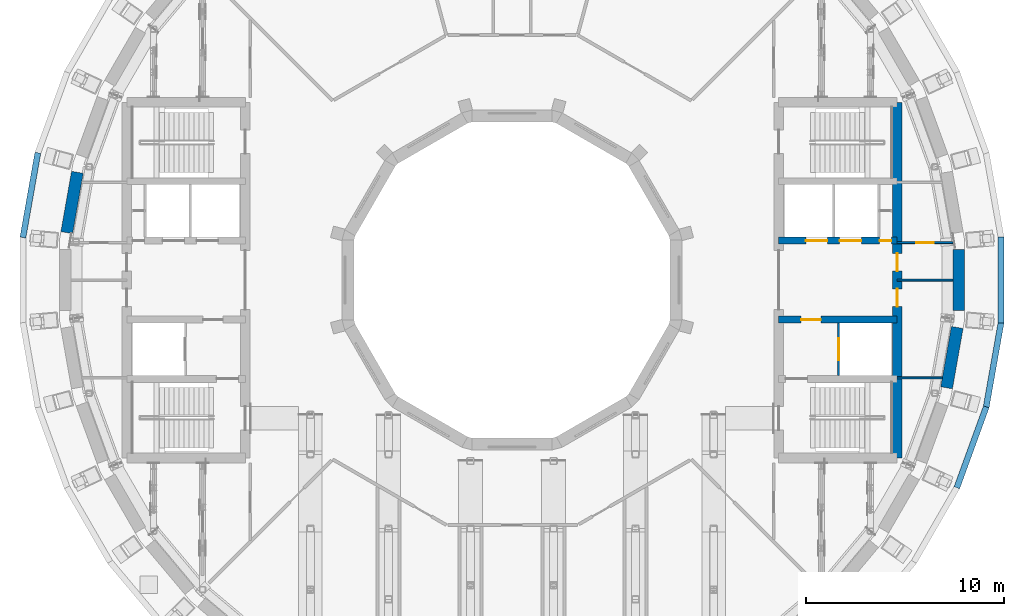
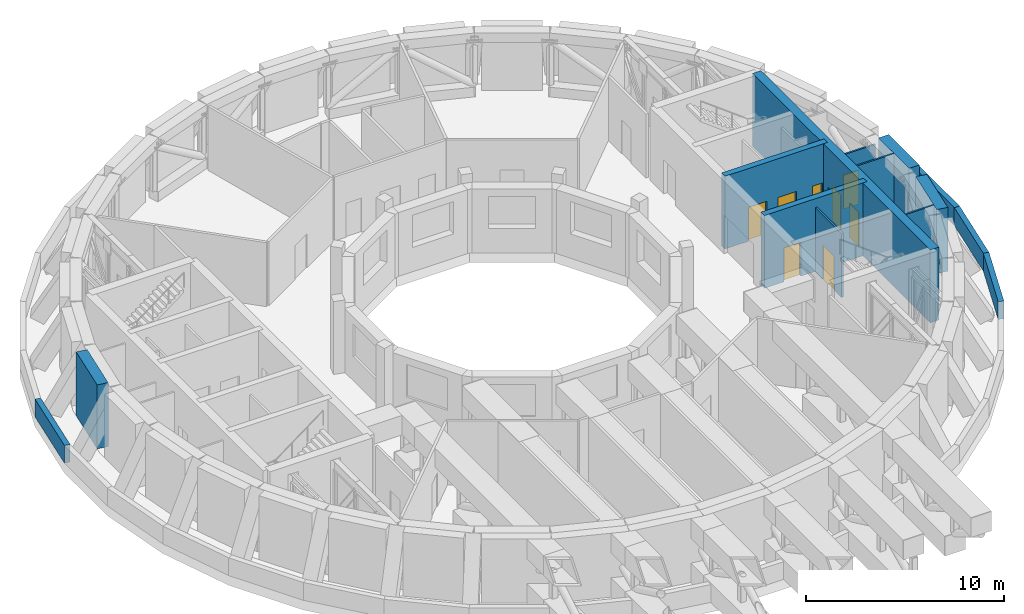
# One storey, part 13 of 20: 14 walls, 8 doors, 8 openings.
"""IFC4 building model written with IfcOpenShell, lengths in metres."""

from ifc_helpers import new_model, si_unit, direction, frame, frame_2d, origin, place, context, subcontext, project, spatial, rectangle, extrude, material, layer, layer_set, type_object, element, fill, save


model = new_model("IFC4")

# Units and contexts
model_context = context("Model", 3, precision=1e-05, world=origin(), true_north=direction((0.0, 1.0)))
body_context = subcontext(model_context, "Body", "Model", "MODEL_VIEW")
ifc_project = project(units=[si_unit("LENGTHUNIT", "METRE"), si_unit("AREAUNIT", "SQUARE_METRE"), si_unit("VOLUMEUNIT", "CUBIC_METRE"), si_unit("PLANEANGLEUNIT", "RADIAN"), si_unit("MASSUNIT", "GRAM", prefix="KILO")], contexts=[model_context])

# Site, building, storey
site_placement = place(None, origin())
site = spatial("IfcSite", under=ifc_project, at=site_placement, CompositionType="ELEMENT")
building_placement = place(site_placement, origin())
building = spatial("IfcBuilding", under=site, at=building_placement, Name="Saqina Gate Tower", CompositionType="ELEMENT")
storey_placement = place(building_placement, frame((0.0, 0.0, 220.199951171875)))
storey = spatial("IfcBuildingStorey", under=building, at=storey_placement, Name="L63", CompositionType="ELEMENT", Elevation=220.199951171875)

# Wall, opening, door
ifc_material_1 = material(Name="Gypsum board on steel studs", Category="steel")
ifc_layer_1 = layer(ifc_material_1, 0.10009765625)
ifc_layer_set_1 = layer_set([ifc_layer_1], Name="CORE PARTITION")
wall_type_1 = type_object("IfcWallType", Name="CORE PARTITION", PredefinedType="PARTITIONING", material=ifc_layer_set_1)
wall_1_placement = place(storey_placement, frame((19.5, 1.89990234375, 0.0), z_axis=(0.0, 0.0, 1.0), x_axis=(1.0, 0.0, 0.0)))
wall_1 = element("IfcWall", 1, at=wall_1_placement, inside=storey, type_object=wall_type_1, Name="L63-CP-E03", PredefinedType="PARTITIONING", context=body_context, shape_type="SweptSolid", body=[
    extrude(rectangle(XDim=2.8125, YDim=0.10009765625, at=frame_2d((1.40625, 0.0))), origin(), (0.0, 0.0, 1.0), 3.376953125),
])
opening_1_placement = place(wall_1_placement, frame((0.956298828125, 0.0, 0.0)))
opening_1 = element("IfcOpeningElement", 2, at=opening_1_placement, cuts=wall_1, Name="Opening L63-D92", PredefinedType="OPENING", context=body_context, shape_type="SweptSolid", body=[
    extrude(rectangle(XDim=0.89990234375, YDim=2.10009765625, at=frame_2d((0.449951171875, 1.050048828125))), frame((0.0, 0.06201171875, 0.0), z_axis=(0.0, -1.0, 0.0), x_axis=(1.0, 0.0, 0.0)), (0.0, 0.0, 1.0), 0.1240234375),
])
ifc_material_2 = material(Name="Steel-framed fire door leaf, EI 60", Category="steel")
door_type_1 = type_object("IfcDoorType", Name="SERVICE ROOM DOOR 900", OperationType="SINGLE_SWING_LEFT", PredefinedType="DOOR", material=ifc_material_2)
door_1_placement = place(opening_1_placement, origin())
door_1 = element("IfcDoor", 3, at=door_1_placement, inside=storey, type_object=door_type_1, Name="L63-CD-E03", OperationType="SINGLE_SWING_RIGHT", OverallHeight=2.10009765625, OverallWidth=0.89990234375, PredefinedType="DOOR", context=body_context, shape_type="SweptSolid", body=[
    extrude(rectangle(XDim=0.89990234375, YDim=2.10009765625, at=frame_2d((0.449951171875, 1.050048828125))), frame((0.0, 0.02490234375, 0.0), z_axis=(0.0, -1.0, 0.0), x_axis=(1.0, 0.0, 0.0)), (0.0, 0.0, 1.0), 0.050048828125),
])
fill(opening_1, door_1)

# Walls
wall_2_placement = place(storey_placement, frame((19.5, -4.949951171875, 0.0), z_axis=(0.0, 0.0, 1.0), x_axis=(1.0, 0.0, 0.0)))
element("IfcWall", 4, at=wall_2_placement, inside=storey, type_object=wall_type_1, Name="L63-CP-E04", PredefinedType="PARTITIONING", context=body_context, shape_type="SweptSolid", body=[
    extrude(rectangle(XDim=2.283935546875, YDim=0.10009765625, at=frame_2d((1.14208984375, 0.0))), origin(), (0.0, 0.0, 1.0), 3.949951171875),
])
wall_3_placement = place(storey_placement, frame((19.5, 0.0, 0.0), z_axis=(0.0, 0.0, 1.0), x_axis=(1.0, 0.0, 0.0)))
element("IfcWall", 5, at=wall_3_placement, inside=storey, type_object=wall_type_1, Name="L63-CP-E05", PredefinedType="PARTITIONING", context=body_context, shape_type="SweptSolid", body=[
    extrude(rectangle(XDim=2.8125, YDim=0.10009765625, at=frame_2d((1.40625, 0.0))), origin(), (0.0, 0.0, 1.0), 3.949951171875),
])
ifc_material_3 = material(Name="Glazed ceramic tile", Category="ceramic")
ifc_layer_2 = layer(ifc_material_3, 0.60009765625)
ifc_layer_set_2 = layer_set([ifc_layer_2], Name="FW-TILE")
wall_type_2 = type_object("IfcWallType", Name="FW-TILE", PredefinedType="SOLIDWALL", material=ifc_layer_set_2)
wall_4_placement = place(storey_placement, frame((22.612548828125, -1.550537109375, 0.0), z_axis=(0.0, 0.0, 1.0), x_axis=(0.0, 1.0, 0.0)))
element("IfcWall", 6, at=wall_4_placement, inside=storey, type_object=wall_type_2, Name="Facade wall L63 facet 36", PredefinedType="SOLIDWALL", context=body_context, shape_type="SweptSolid", body=[
    extrude(rectangle(XDim=3.10107421875, YDim=0.60009765625, at=frame_2d((1.550537109375, 0.0))), origin(), (0.0, 0.0, 1.0), 3.949951171875),
])
ifc_material_4 = material(Name="Glazed ceramic tile (dark blue)", Category="ceramic")
ifc_layer_3 = layer(ifc_material_4, 0.60009765625)
ifc_layer_set_3 = layer_set([ifc_layer_3], Name="FW-TILE-CB")
wall_type_3 = type_object("IfcWallType", Name="FW-TILE-CB", PredefinedType="SOLIDWALL", material=ifc_layer_set_3)
wall_5_placement = place(storey_placement, frame((21.999755859375, -5.45361328125, 0.0), z_axis=(0.0, 0.0, 1.0), x_axis=(0.173596698961, 0.98481682871, 0.0)))
element("IfcWall", 7, at=wall_5_placement, inside=storey, type_object=wall_type_3, Name="Facade wall L63 facet 35", PredefinedType="SOLIDWALL", context=body_context, shape_type="SweptSolid", body=[
    extrude(rectangle(XDim=3.10107421875, YDim=0.60009765625, at=frame_2d((1.550537109375, 0.0))), origin(), (0.0, 0.0, 1.0), 3.949951171875),
])
ifc_material_5 = material(Name="Glazed ceramic tile (white)", Category="ceramic")
ifc_layer_4 = layer(ifc_material_5, 0.60009765625)
ifc_layer_set_4 = layer_set([ifc_layer_4], Name="FW-TILE-WH")
wall_type_4 = type_object("IfcWallType", Name="FW-TILE-WH", PredefinedType="SOLIDWALL", material=ifc_layer_set_4)
wall_6_placement = place(storey_placement, frame((-21.999755859375, 5.45361328125, 0.0), z_axis=(0.0, 0.0, 1.0), x_axis=(-0.173596698961, -0.98481682871, 0.0)))
element("IfcWall", 8, at=wall_6_placement, inside=storey, type_object=wall_type_4, Name="Facade wall L63 facet 17", PredefinedType="SOLIDWALL", context=body_context, shape_type="SweptSolid", body=[
    extrude(rectangle(XDim=3.10107421875, YDim=0.60009765625, at=frame_2d((1.550537109375, 0.0))), origin(), (0.0, 0.0, 1.0), 3.949951171875),
])
ifc_material_6 = material(Name="Brick masonry (buff)", Category="masonry")
ifc_layer_5 = layer(ifc_material_6, 0.300048828125)
ifc_layer_set_5 = layer_set([ifc_layer_5], Name="PA-ROOF")
wall_type_5 = type_object("IfcWallType", Name="PA-ROOF", PredefinedType="PARAPET", material=ifc_layer_set_5)
for number, where, z_axis, x_axis, name in (
    (9, (-24.00048828125, 6.4443359375, 0.0), (0.0, 0.0, 1.0), (-0.173622331815, -0.984812309984, 0.0), "Parapet L63 edge 17"),
    (10, (22.5166015625, -10.51416015625, 0.0), (0.0, 0.0, 1.0), (0.342026438957, 0.93969032934, 0.0), "Parapet L63 edge 34"),
    (11, (24.00048828125, -6.4443359375, 0.0), (0.0, 0.0, 1.0), (0.173622331815, 0.984812309984, 0.0), "Parapet L63 edge 35"),
):
    element("IfcWall", number, at=place(storey_placement, frame(where, z_axis=z_axis, x_axis=x_axis)), inside=storey, type_object=wall_type_5, Name=name, PredefinedType="PARAPET", context=body_context, shape_type="SweptSolid", body=[
        extrude(rectangle(XDim=4.357666015625, YDim=0.300048828125, at=frame_2d((2.1787109375, 0.0))), origin(), (0.0, 0.0, 1.0), 1.10009765625),
    ])
wall_7_placement = place(storey_placement, frame((24.7548828125, -2.178955078125, 0.0), z_axis=(0.0, 0.0, 1.0), x_axis=(0.0, 1.0, 0.0)))
element("IfcWall", 12, at=wall_7_placement, inside=storey, type_object=wall_type_5, Name="Parapet L63 edge 36", PredefinedType="PARAPET", context=body_context, shape_type="SweptSolid", body=[
    extrude(rectangle(XDim=4.35791015625, YDim=0.300048828125, at=frame_2d((2.178955078125, 0.0))), origin(), (0.0, 0.0, 1.0), 1.10009765625),
])

# Wall, opening, door
ifc_material_7 = material(Name="Autoclaved aerated concrete block", Category="concrete")
ifc_layer_6 = layer(ifc_material_7, 0.1201171875)
ifc_layer_set_6 = layer_set([ifc_layer_6], Name="SHAFT PARTITION")
wall_type_6 = type_object("IfcWallType", Name="SHAFT PARTITION", PredefinedType="PARTITIONING", material=ifc_layer_set_6)
wall_8_placement = place(storey_placement, frame((16.530029296875, -4.824951171875, 0.0), z_axis=(0.0, 0.0, 1.0), x_axis=(0.0, 1.0, 0.0)))
wall_8 = element("IfcWall", 13, at=wall_8_placement, inside=storey, type_object=wall_type_6, Name="L63-CP-E08", PredefinedType="PARTITIONING", context=body_context, shape_type="SweptSolid", body=[
    extrude(rectangle(XDim=2.64990234375, YDim=0.1201171875, at=frame_2d((1.324951171875, 0.0))), origin(), (0.0, 0.0, 1.0), 3.949951171875),
])
opening_2_placement = place(wall_8_placement, frame((0.77490234375, 0.0, 0.0)))
opening_2 = element("IfcOpeningElement", 14, at=opening_2_placement, cuts=wall_8, Name="Opening L63-LD3", PredefinedType="OPENING", context=body_context, shape_type="SweptSolid", body=[
    extrude(rectangle(XDim=1.10009765625, YDim=2.10009765625, at=frame_2d((0.550048828125, 1.050048828125))), frame((0.0, 0.072021484375, 0.0), z_axis=(0.0, -1.0, 0.0), x_axis=(1.0, 0.0, 0.0)), (0.0, 0.0, 1.0), 0.14404296875),
])
ifc_material_8 = material(Name="Stainless steel", Category="steel")
door_type_2 = type_object("IfcDoorType", Name="LANDING DOOR", OperationType="DOUBLE_DOOR_SLIDING", PredefinedType="DOOR", material=ifc_material_8)
door_2_placement = place(opening_2_placement, origin())
door_2 = element("IfcDoor", 15, at=door_2_placement, inside=storey, type_object=door_type_2, Name="LANDING DOOR FF1", OperationType="DOUBLE_DOOR_SLIDING", OverallHeight=2.10009765625, OverallWidth=1.10009765625, PredefinedType="DOOR", context=body_context, shape_type="SweptSolid", body=[
    extrude(rectangle(XDim=1.10009765625, YDim=2.10009765625, at=frame_2d((0.550048828125, 1.050048828125))), frame((0.0, 0.02490234375, 0.0), z_axis=(0.0, -1.0, 0.0), x_axis=(1.0, 0.0, 0.0)), (0.0, 0.0, 1.0), 0.050048828125),
])
fill(opening_2, door_2)

# Wall, openings, doors
ifc_material_9 = material(Name="Concrete C60/75", Category="concrete")
ifc_layer_7 = layer(ifc_material_9, 0.35009765625)
ifc_layer_set_7 = layer_set([ifc_layer_7], Name="Concrete C60/75")
wall_type_7 = type_object("IfcWallType", Name="STR-CORE WALL-D-I", PredefinedType="SHEAR", material=ifc_layer_set_7)
wall_9_placement = place(storey_placement, frame((13.5, 2.0, 0.0), z_axis=(0.0, 0.0, 1.0), x_axis=(1.0, 0.0, 0.0)))
wall_9 = element("IfcWall", 16, at=wall_9_placement, inside=storey, type_object=wall_type_7, Name="CORE WALL L63 E-L1", PredefinedType="SHEAR", context=body_context, shape_type="SweptSolid", body=[
    extrude(rectangle(XDim=6.0, YDim=0.35009765625, at=frame_2d((3.0, 0.0))), origin(), (0.0, 0.0, 1.0), 4.5),
])
opening_3_placement = place(wall_9_placement, frame((1.3701171875, 0.0, 0.0)))
opening_3 = element("IfcOpeningElement", 17, at=opening_3_placement, cuts=wall_9, Name="Opening L63-LD1", PredefinedType="OPENING", context=body_context, shape_type="SweptSolid", body=[
    extrude(rectangle(XDim=1.10009765625, YDim=2.10009765625, at=frame_2d((0.550048828125, 1.050048828125))), frame((0.0, 0.18701171875, 0.0), z_axis=(0.0, -1.0, 0.0), x_axis=(1.0, 0.0, 0.0)), (0.0, 0.0, 1.0), 0.3740234375),
])
opening_4_placement = place(wall_9_placement, frame((3.090087890625, 0.0, 0.0)))
opening_4 = element("IfcOpeningElement", 18, at=opening_4_placement, cuts=wall_9, Name="Opening L63-LD2", PredefinedType="OPENING", context=body_context, shape_type="SweptSolid", body=[
    extrude(rectangle(XDim=1.10009765625, YDim=2.10009765625, at=frame_2d((0.550048828125, 1.050048828125))), frame((0.0, 0.18701171875, 0.0), z_axis=(0.0, -1.0, 0.0), x_axis=(1.0, 0.0, 0.0)), (0.0, 0.0, 1.0), 0.3740234375),
])
opening_5_placement = place(wall_9_placement, frame((5.10498046875, 0.0, 0.0)))
opening_5 = element("IfcOpeningElement", 19, at=opening_5_placement, cuts=wall_9, Name="Opening L63-D90", PredefinedType="OPENING", context=body_context, shape_type="SweptSolid", body=[
    extrude(rectangle(XDim=0.60009765625, YDim=2.10009765625, at=frame_2d((0.300048828125, 1.050048828125))), frame((0.0, 0.18701171875, 0.0), z_axis=(0.0, -1.0, 0.0), x_axis=(1.0, 0.0, 0.0)), (0.0, 0.0, 1.0), 0.3740234375),
])
door_3_placement = place(opening_3_placement, origin())
door_3 = element("IfcDoor", 20, at=door_3_placement, inside=storey, type_object=door_type_2, Name="LANDING DOOR HR1", OperationType="DOUBLE_DOOR_SLIDING", OverallHeight=2.10009765625, OverallWidth=1.10009765625, PredefinedType="DOOR", context=body_context, shape_type="SweptSolid", body=[
    extrude(rectangle(XDim=1.10009765625, YDim=2.10009765625, at=frame_2d((0.550048828125, 1.050048828125))), frame((0.0, 0.02490234375, 0.0), z_axis=(0.0, -1.0, 0.0), x_axis=(1.0, 0.0, 0.0)), (0.0, 0.0, 1.0), 0.050048828125),
])
fill(opening_3, door_3)
door_4_placement = place(opening_4_placement, origin())
door_4 = element("IfcDoor", 21, at=door_4_placement, inside=storey, type_object=door_type_2, Name="LANDING DOOR HR2", OperationType="DOUBLE_DOOR_SLIDING", OverallHeight=2.10009765625, OverallWidth=1.10009765625, PredefinedType="DOOR", context=body_context, shape_type="SweptSolid", body=[
    extrude(rectangle(XDim=1.10009765625, YDim=2.10009765625, at=frame_2d((0.550048828125, 1.050048828125))), frame((0.0, 0.02490234375, 0.0), z_axis=(0.0, -1.0, 0.0), x_axis=(1.0, 0.0, 0.0)), (0.0, 0.0, 1.0), 0.050048828125),
])
fill(opening_4, door_4)
ifc_material_10 = material(Name="Steel-framed fire door leaf, EI 60", Category="steel")
door_type_3 = type_object("IfcDoorType", Name="SERVICE ROOM DOOR 600", OperationType="SINGLE_SWING_LEFT", PredefinedType="DOOR", material=ifc_material_10)
door_5_placement = place(opening_5_placement, origin())
door_5 = element("IfcDoor", 22, at=door_5_placement, inside=storey, type_object=door_type_3, Name="L63-CD-E01", OperationType="SINGLE_SWING_RIGHT", OverallHeight=2.10009765625, OverallWidth=0.60009765625, PredefinedType="DOOR", context=body_context, shape_type="SweptSolid", body=[
    extrude(rectangle(XDim=0.60009765625, YDim=2.10009765625, at=frame_2d((0.300048828125, 1.050048828125))), frame((0.0, 0.02490234375, 0.0), z_axis=(0.0, -1.0, 0.0), x_axis=(1.0, 0.0, 0.0)), (0.0, 0.0, 1.0), 0.050048828125),
])
fill(opening_5, door_5)

# Wall, opening, door
wall_10_placement = place(storey_placement, frame((13.5, -2.0, 0.0), z_axis=(0.0, 0.0, 1.0), x_axis=(1.0, 0.0, 0.0)))
wall_10 = element("IfcWall", 23, at=wall_10_placement, inside=storey, type_object=wall_type_7, Name="CORE WALL L63 E-L2", PredefinedType="SHEAR", context=body_context, shape_type="SweptSolid", body=[
    extrude(rectangle(XDim=6.0, YDim=0.35009765625, at=frame_2d((3.0, 0.0))), origin(), (0.0, 0.0, 1.0), 4.5),
])
opening_6_placement = place(wall_10_placement, frame((1.139892578125, 0.0, 0.0)))
opening_6 = element("IfcOpeningElement", 24, at=opening_6_placement, cuts=wall_10, Name="Opening L63-D91", PredefinedType="OPENING", context=body_context, shape_type="SweptSolid", body=[
    extrude(rectangle(XDim=1.0, YDim=2.10009765625, at=frame_2d((0.5, 1.050048828125))), frame((0.0, 0.18701171875, 0.0), z_axis=(0.0, -1.0, 0.0), x_axis=(1.0, 0.0, 0.0)), (0.0, 0.0, 1.0), 0.3740234375),
])
ifc_material_11 = material(Name="Steel", Category="steel")
door_type_4 = type_object("IfcDoorType", Name="FIRE LOBBY DOOR EI 60", OperationType="SINGLE_SWING_LEFT", PredefinedType="DOOR", material=ifc_material_11)
door_6_placement = place(opening_6_placement, origin())
door_6 = element("IfcDoor", 25, at=door_6_placement, inside=storey, type_object=door_type_4, Name="L63-CD-E02", OperationType="SINGLE_SWING_LEFT", OverallHeight=2.10009765625, OverallWidth=1.0, PredefinedType="DOOR", context=body_context, shape_type="SweptSolid", body=[
    extrude(rectangle(XDim=1.0, YDim=2.10009765625, at=frame_2d((0.5, 1.050048828125))), frame((0.0, 0.02490234375, 0.0), z_axis=(0.0, -1.0, 0.0), x_axis=(1.0, 0.0, 0.0)), (0.0, 0.0, 1.0), 0.050048828125),
])
fill(opening_6, door_6)

# Wall, openings, doors
ifc_material_12 = material(Name="Concrete C60/75", Category="concrete")
ifc_layer_8 = layer(ifc_material_12, 0.5)
ifc_layer_set_8 = layer_set([ifc_layer_8], Name="Concrete C60/75")
wall_type_8 = type_object("IfcWallType", Name="STR-CORE WALL-D-O", PredefinedType="SHEAR", material=ifc_layer_set_8)
wall_11_placement = place(storey_placement, frame((19.5, -9.0, 0.0), z_axis=(0.0, 0.0, 1.0), x_axis=(0.0, 1.0, 0.0)))
wall_11 = element("IfcWall", 26, at=wall_11_placement, inside=storey, type_object=wall_type_8, Name="CORE WALL L63 E-W2", PredefinedType="SHEAR", context=body_context, shape_type="SweptSolid", body=[
    extrude(rectangle(XDim=18.0, YDim=0.5, at=frame_2d((9.0, 0.0))), origin(), (0.0, 0.0, 1.0), 4.5),
])
opening_7_placement = place(wall_11_placement, frame((9.449951171875, 0.0, 0.0)))
opening_7 = element("IfcOpeningElement", 27, at=opening_7_placement, cuts=wall_11, Name="Opening L63-D93", PredefinedType="OPENING", context=body_context, shape_type="SweptSolid", body=[
    extrude(rectangle(XDim=0.89990234375, YDim=2.10009765625, at=frame_2d((0.449951171875, 1.050048828125))), frame((0.0, 0.261962890625, 0.0), z_axis=(0.0, -1.0, 0.0), x_axis=(1.0, 0.0, 0.0)), (0.0, 0.0, 1.0), 0.52392578125),
])
opening_8_placement = place(wall_11_placement, frame((7.64990234375, 0.0, 0.0)))
opening_8 = element("IfcOpeningElement", 28, at=opening_8_placement, cuts=wall_11, Name="Opening L63-D94", PredefinedType="OPENING", context=body_context, shape_type="SweptSolid", body=[
    extrude(rectangle(XDim=0.89990234375, YDim=2.10009765625, at=frame_2d((0.449951171875, 1.050048828125))), frame((0.0, 0.261962890625, 0.0), z_axis=(0.0, -1.0, 0.0), x_axis=(1.0, 0.0, 0.0)), (0.0, 0.0, 1.0), 0.52392578125),
])
door_7_placement = place(opening_7_placement, frame((0.89990234375, 0.0, 0.0), z_axis=(0.0, 0.0, 1.0), x_axis=(-1.0, 0.0, 0.0)))
door_7 = element("IfcDoor", 29, at=door_7_placement, inside=storey, type_object=door_type_1, Name="L63-CD-E04", OperationType="SINGLE_SWING_LEFT", OverallHeight=2.10009765625, OverallWidth=0.89990234375, PredefinedType="DOOR", context=body_context, shape_type="SweptSolid", body=[
    extrude(rectangle(XDim=0.89990234375, YDim=2.10009765625, at=frame_2d((0.449951171875, 1.050048828125))), frame((0.0, 0.02490234375, 0.0), z_axis=(0.0, -1.0, 0.0), x_axis=(1.0, 0.0, 0.0)), (0.0, 0.0, 1.0), 0.050048828125),
])
fill(opening_7, door_7)
door_8_placement = place(opening_8_placement, frame((0.89990234375, 0.0, 0.0), z_axis=(0.0, 0.0, 1.0), x_axis=(-1.0, 0.0, 0.0)))
door_8 = element("IfcDoor", 30, at=door_8_placement, inside=storey, type_object=door_type_1, Name="L63-CD-E05", OperationType="SINGLE_SWING_LEFT", OverallHeight=2.10009765625, OverallWidth=0.89990234375, PredefinedType="DOOR", context=body_context, shape_type="SweptSolid", body=[
    extrude(rectangle(XDim=0.89990234375, YDim=2.10009765625, at=frame_2d((0.449951171875, 1.050048828125))), frame((0.0, 0.02490234375, 0.0), z_axis=(0.0, -1.0, 0.0), x_axis=(1.0, 0.0, 0.0)), (0.0, 0.0, 1.0), 0.050048828125),
])
fill(opening_8, door_8)

save(model, "model.ifc")
